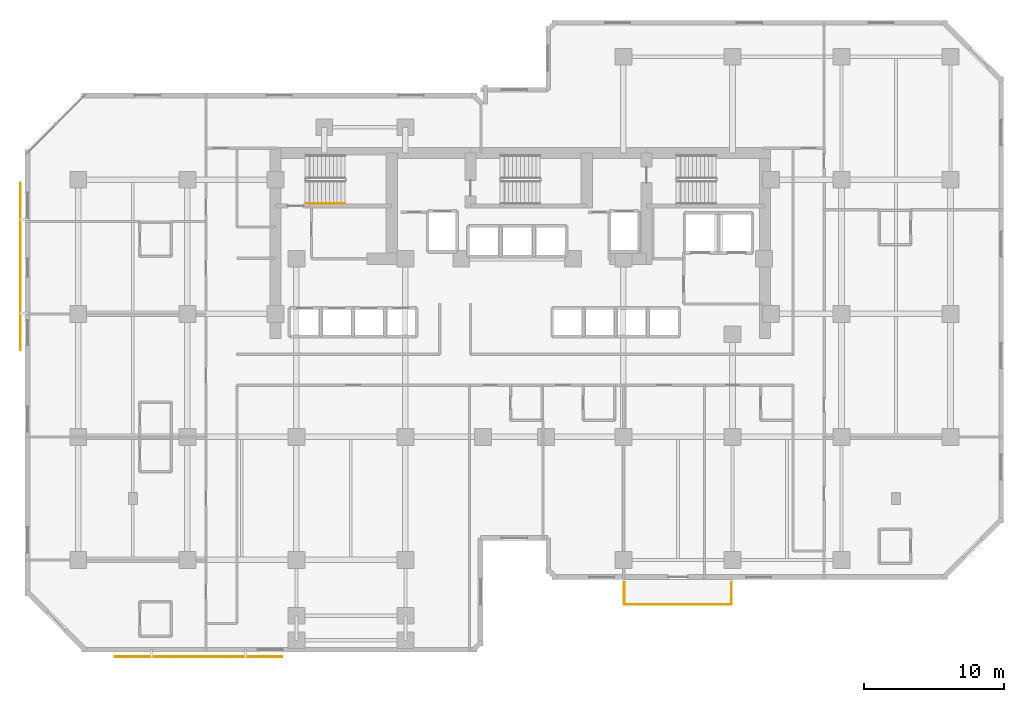
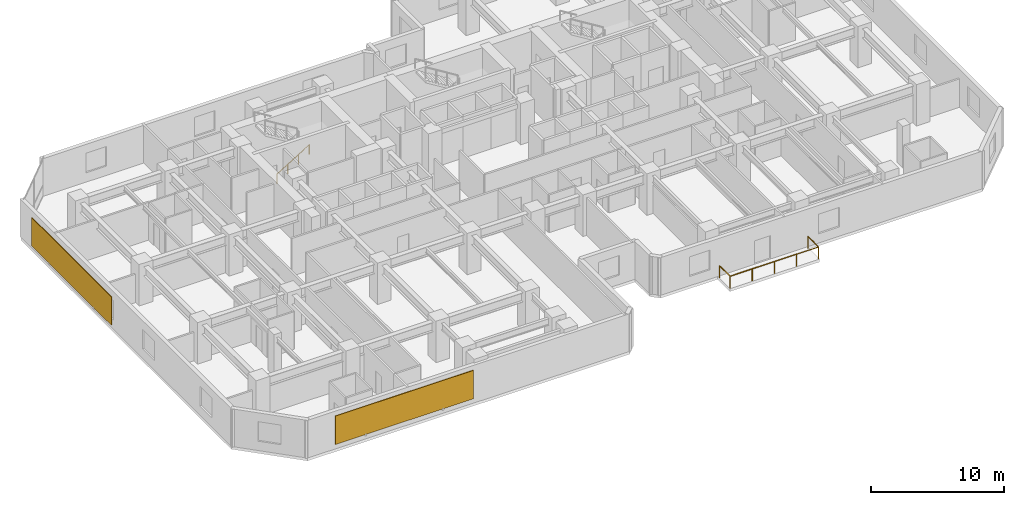
# One storey, part 10 of 11: 3 railings, 2 shading devices.
"""IFC4 building model written with IfcOpenShell, lengths in metres."""

from ifc_helpers import new_model, si_unit, direction, frame, origin, origin_2d, place, context, subcontext, project, spatial, rectangle, circle, extrude, material, layer, layer_set, type_object, element, save


model = new_model("IFC4")

# Units and contexts
model_context = context("Model", 3, precision=1e-05, world=origin(), true_north=direction((0.0, 1.0)))
body_context = subcontext(model_context, "Body", "Model", "MODEL_VIEW")
ifc_project = project(units=[si_unit("LENGTHUNIT", "METRE"), si_unit("AREAUNIT", "SQUARE_METRE"), si_unit("VOLUMEUNIT", "CUBIC_METRE"), si_unit("PLANEANGLEUNIT", "RADIAN"), si_unit("MASSUNIT", "GRAM", prefix="KILO")], contexts=[model_context])

# Site, building, storey
site_placement = place(None, origin())
site = spatial("IfcSite", under=ifc_project, at=site_placement, CompositionType="ELEMENT")
building_placement = place(site_placement, origin())
building = spatial("IfcBuilding", under=site, at=building_placement, Name="Kestravale Grand Hotel", CompositionType="ELEMENT")
storey_placement = place(building_placement, frame((0.0, 0.0, 126.0)))
storey = spatial("IfcBuildingStorey", under=building, at=storey_placement, Name="L31", CompositionType="ELEMENT", Elevation=126.0)

# Railings
ifc_material_1 = material(Name="Champagne-bronze stainless steel and laminated glass guard", Category="steel")
railing_type_1 = type_object("IfcRailingType", Name="RL-EXT-1100", PredefinedType="GUARDRAIL", material=ifc_material_1)
railing_1_placement = place(storey_placement, frame((46.860107421875, 8.010009765625, 0.0)))
element("IfcRailing", 1, at=railing_1_placement, inside=storey, type_object=railing_type_1, Name="L31 outdoor terrace guard 1", PredefinedType="GUARDRAIL", context=body_context, shape_type="SweptSolid", body=[
    extrude(circle(Radius=0.02392578125, at=origin_2d()), frame((0.0, 0.0, 1.09619140625), z_axis=(0.0, 1.0, 0.0), x_axis=(-1.0, 0.0, 0.0)), (0.0, 0.0, 1.0), 1.570068359375),
    extrude(circle(Radius=0.02099609375, at=origin_2d()), origin(), (0.0, 0.0, 1.0), 1.072021484375),
    extrude(circle(Radius=0.02099609375, at=origin_2d()), frame((0.0, 1.570068359375, 0.0)), (0.0, 0.0, 1.0), 1.072021484375),
])
railing_2_placement = place(storey_placement, frame((54.5400390625, 9.580078125, 0.0)))
element("IfcRailing", 2, at=railing_2_placement, inside=storey, type_object=railing_type_1, Name="L31 outdoor terrace guard 2", PredefinedType="GUARDRAIL", context=body_context, shape_type="SweptSolid", body=[
    extrude(circle(Radius=0.02392578125, at=origin_2d()), frame((0.0, 0.0, 1.09619140625), z_axis=(0.0, -1.0, 0.0), x_axis=(1.0, 0.0, 0.0)), (0.0, 0.0, 1.0), 1.570068359375),
    extrude(circle(Radius=0.02392578125, at=origin_2d()), frame((0.0, -1.570068359375, 1.09619140625), z_axis=(-1.0, 0.0, 0.0), x_axis=(0.0, -1.0, 0.0)), (0.0, 0.0, 1.0), 7.679931640625),
    extrude(circle(Radius=0.02099609375, at=origin_2d()), origin(), (0.0, 0.0, 1.0), 1.072021484375),
    extrude(circle(Radius=0.02099609375, at=origin_2d()), frame((0.0, -1.570068359375, 0.0)), (0.0, 0.0, 1.0), 1.072021484375),
    extrude(circle(Radius=0.02099609375, at=origin_2d()), frame((-1.919921875, -1.570068359375, 0.0)), (0.0, 0.0, 1.0), 1.072021484375),
    extrude(circle(Radius=0.02099609375, at=origin_2d()), frame((-3.83984375, -1.570068359375, 0.0)), (0.0, 0.0, 1.0), 1.072021484375),
    extrude(circle(Radius=0.02099609375, at=origin_2d()), frame((-5.760009765625, -1.570068359375, 0.0)), (0.0, 0.0, 1.0), 1.072021484375),
    extrude(circle(Radius=0.02099609375, at=origin_2d()), frame((-7.679931640625, -1.570068359375, 0.0)), (0.0, 0.0, 1.0), 1.072021484375),
])
ifc_material_2 = material(Name="Brushed stainless steel wall handrail", Category="steel")
railing_type_2 = type_object("IfcRailingType", Name="RL-ST-HND900", PredefinedType="HANDRAIL", material=ifc_material_2)
railing_3_placement = place(storey_placement, frame((24.080078125, 36.699951171875, 0.172607421875)))
element("IfcRailing", 3, at=railing_3_placement, inside=storey, type_object=railing_type_2, Name="L31 ST-1 stair handrail 1", PredefinedType="HANDRAIL", context=body_context, shape_type="SweptSolid", body=[
    extrude(circle(Radius=0.02392578125, at=origin_2d()), frame((0.0, 0.0, 0.8759765625), z_axis=(0.851069175582, 0.0, 0.525053576669), x_axis=(0.0, 1.0, 0.0)), (0.0, 0.0, 1.0), 3.289794921875),
    extrude(circle(Radius=0.02099609375, at=origin_2d()), origin(), (0.0, 0.0, 1.0), 0.851806640625),
    extrude(circle(Radius=0.02099609375, at=origin_2d()), frame((0.933349609375, 0.0, 0.57568359375)), (0.0, 0.0, 1.0), 0.851806640625),
    extrude(circle(Radius=0.02099609375, at=origin_2d()), frame((1.866455078125, 0.0, 1.151611328125)), (0.0, 0.0, 1.0), 0.851806640625),
    extrude(circle(Radius=0.02099609375, at=origin_2d()), frame((2.7998046875, 0.0, 1.727294921875)), (0.0, 0.0, 1.0), 0.851806640625),
])

# Shading devices
ifc_material_3 = material(Name="Perforated champagne-bronze aluminium and ceramic solar screen", Category="aluminium")
ifc_layer = layer(ifc_material_3, 0.06494140625)
ifc_layer_set = layer_set([ifc_layer], Name="SHD-SCR-CHEV")
shading_device_type = type_object("IfcShadingDeviceType", Name="SHD-SCR-CHEV", PredefinedType="USERDEFINED", material=ifc_layer_set)
for number, where, z_axis, x_axis, name in (
    (4, (16.39990234375, 4.260009765625, 0.69970703125), (0.0, 0.0, 1.0), (1.0, 0.0, 0.0), "L31 Perforated bronze ceramic chevron solar screen SCR-L31-01"),
    (5, (3.659912109375, 32.199951171875, 0.69970703125), (0.0, 0.0, 1.0), (0.0, -1.0, 0.0), "L31 Perforated bronze ceramic chevron solar screen SCR-L31-19"),
):
    element("IfcShadingDevice", number, at=place(storey_placement, frame(where, z_axis=z_axis, x_axis=x_axis)), inside=storey, type_object=shading_device_type, Name=name, ObjectType="SCREEN", PredefinedType="USERDEFINED", context=body_context, shape_type="SweptSolid", body=[
        extrude(rectangle(XDim=12.0, YDim=0.06494140625, at=origin_2d()), origin(), (0.0, 0.0, 1.0), 2.610107421875),
    ])

save(model, "model.ifc")
